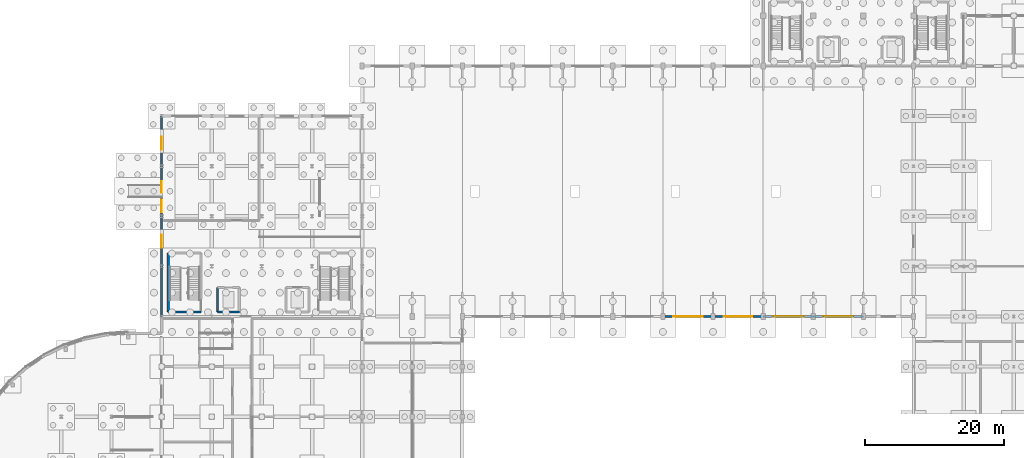
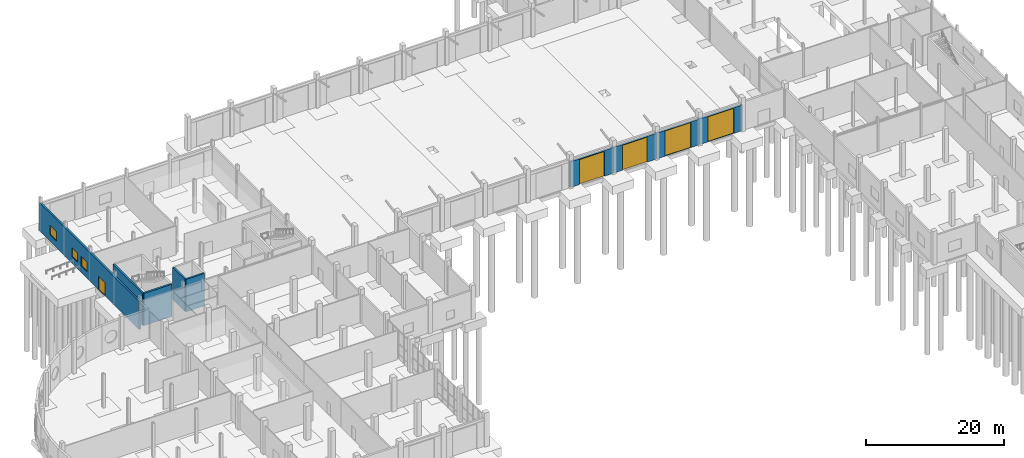
# One storey, part 32 of 45: 9 walls, 5 doors, 3 windows, 8 openings.
"""IFC4 building model written with IfcOpenShell, lengths in metres."""

from ifc_helpers import new_model, si_unit, direction, frame, frame_2d, origin, place, context, subcontext, project, spatial, rectangle, extrude, material, layer, layer_set, type_object, element, fill, save


model = new_model("IFC4")

# Units and contexts
model_context = context("Model", 3, precision=1e-05, world=origin(), true_north=direction((0.0, 1.0)))
body_context = subcontext(model_context, "Body", "Model", "MODEL_VIEW")
ifc_project = project(units=[si_unit("LENGTHUNIT", "METRE"), si_unit("AREAUNIT", "SQUARE_METRE"), si_unit("VOLUMEUNIT", "CUBIC_METRE"), si_unit("PLANEANGLEUNIT", "RADIAN"), si_unit("MASSUNIT", "GRAM", prefix="KILO")], contexts=[model_context])

# Site, building, storey
site_placement = place(None, origin())
site = spatial("IfcSite", under=ifc_project, at=site_placement, CompositionType="ELEMENT")
building_placement = place(site_placement, origin())
building = spatial("IfcBuilding", under=site, at=building_placement, Name="Yarey Park Central Fire Station", CompositionType="ELEMENT")
storey_placement = place(building_placement, origin())
storey = spatial("IfcBuildingStorey", under=building, at=storey_placement, Name="L01", CompositionType="ELEMENT", Elevation=0.0)

# Wall, opening, door
ifc_material_1 = material(Name="Concrete C35/45", Category="concrete")
ifc_layer_1 = layer(ifc_material_1, 0.304931640625)
ifc_layer_set_1 = layer_set([ifc_layer_1], Name="Concrete C35/45")
wall_type_1 = type_object("IfcWallType", Name="ENV_WALL_CMU305", PredefinedType="STANDARD", material=ifc_layer_set_1)
wall_1_placement = place(storey_placement, frame((108.0, 57.60009765625, 0.0), z_axis=(0.0, 0.0, 1.0), x_axis=(-1.0, 0.0, 0.0)))
wall_1 = element("IfcWall", 1, at=wall_1_placement, inside=storey, type_object=wall_type_1, Name="EW_L01_V2_S_07", PredefinedType="STANDARD", context=body_context, shape_type="SweptSolid", body=[
    extrude(rectangle(XDim=7.199951171875, YDim=0.304931640625, at=frame_2d((3.60009765625, 0.0))), origin(), (0.0, 0.0, 1.0), 4.5400390625),
])
opening_1_placement = place(wall_1_placement, frame((1.5, 0.0, 0.0)))
opening_1 = element("IfcOpeningElement", 2, at=opening_1_placement, cuts=wall_1, Name="Opening VD-42", PredefinedType="OPENING", context=body_context, shape_type="SweptSolid", body=[
    extrude(rectangle(XDim=4.199951171875, YDim=4.39990234375, at=frame_2d((2.10009765625, 2.199951171875))), frame((0.0, 0.162353515625, 0.0), z_axis=(0.0, -1.0, 0.0), x_axis=(1.0, 0.0, 0.0)), (0.0, 0.0, 1.0), 0.324951171875),
])
ifc_material_2 = material(Name="Anodized Aluminium Frame", Category="aluminium")
door_type_1 = type_object("IfcDoorType", Name="ENV_GATE_VD4200", OperationType="NOTDEFINED", PredefinedType="GATE", material=ifc_material_2)
door_1_placement = place(opening_1_placement, origin())
door_1 = element("IfcDoor", 3, at=door_1_placement, inside=storey, type_object=door_type_1, Name="GATE_VD_13", OperationType="FOLDING_TO_LEFT", OverallHeight=4.39990234375, OverallWidth=4.199951171875, PredefinedType="GATE", context=body_context, shape_type="SweptSolid", body=[
    extrude(rectangle(XDim=4.199951171875, YDim=4.39990234375, at=frame_2d((2.10009765625, 2.199951171875))), frame((0.0, 0.02490234375, 0.0), z_axis=(0.0, -1.0, 0.0), x_axis=(1.0, 0.0, 0.0)), (0.0, 0.0, 1.0), 0.050048828125),
])
fill(opening_1, door_1)

wall_2_placement = place(storey_placement, frame((115.199951171875, 57.60009765625, 0.0), z_axis=(0.0, 0.0, 1.0), x_axis=(-1.0, 0.0, 0.0)))
wall_2 = element("IfcWall", 4, at=wall_2_placement, inside=storey, type_object=wall_type_1, Name="EW_L01_V2_S_08", PredefinedType="STANDARD", context=body_context, shape_type="SweptSolid", body=[
    extrude(rectangle(XDim=7.199951171875, YDim=0.304931640625, at=frame_2d((3.60009765625, 0.0))), origin(), (0.0, 0.0, 1.0), 4.5400390625),
])
opening_2_placement = place(wall_2_placement, frame((1.550048828125, 0.0, 0.0)))
opening_2 = element("IfcOpeningElement", 5, at=opening_2_placement, cuts=wall_2, Name="Opening VD-41", PredefinedType="OPENING", context=body_context, shape_type="SweptSolid", body=[
    extrude(rectangle(XDim=4.10009765625, YDim=4.39990234375, at=frame_2d((2.050048828125, 2.199951171875))), frame((0.0, 0.162353515625, 0.0), z_axis=(0.0, -1.0, 0.0), x_axis=(1.0, 0.0, 0.0)), (0.0, 0.0, 1.0), 0.324951171875),
])
door_type_2 = type_object("IfcDoorType", Name="ENV_GATE_VD4100", OperationType="NOTDEFINED", PredefinedType="GATE", material=ifc_material_2)
door_2_placement = place(opening_2_placement, origin())
door_2 = element("IfcDoor", 6, at=door_2_placement, inside=storey, type_object=door_type_2, Name="GATE_VD_14", OperationType="FOLDING_TO_LEFT", OverallHeight=4.39990234375, OverallWidth=4.10009765625, PredefinedType="GATE", context=body_context, shape_type="SweptSolid", body=[
    extrude(rectangle(XDim=4.10009765625, YDim=4.39990234375, at=frame_2d((2.050048828125, 2.199951171875))), frame((0.0, 0.02490234375, 0.0), z_axis=(0.0, -1.0, 0.0), x_axis=(1.0, 0.0, 0.0)), (0.0, 0.0, 1.0), 0.050048828125),
])
fill(opening_2, door_2)

wall_3_placement = place(storey_placement, frame((122.39990234375, 57.60009765625, 0.0), z_axis=(0.0, 0.0, 1.0), x_axis=(-1.0, 0.0, 0.0)))
wall_3 = element("IfcWall", 7, at=wall_3_placement, inside=storey, type_object=wall_type_1, Name="EW_L01_V2_S_09", PredefinedType="STANDARD", context=body_context, shape_type="SweptSolid", body=[
    extrude(rectangle(XDim=7.199951171875, YDim=0.304931640625, at=frame_2d((3.60009765625, 0.0))), origin(), (0.0, 0.0, 1.0), 4.5400390625),
])
opening_3_placement = place(wall_3_placement, frame((1.39990234375, 0.0, 0.0)))
opening_3 = element("IfcOpeningElement", 8, at=opening_3_placement, cuts=wall_3, Name="Opening VD-44", PredefinedType="OPENING", context=body_context, shape_type="SweptSolid", body=[
    extrude(rectangle(XDim=4.39990234375, YDim=4.449951171875, at=frame_2d((2.199951171875, 2.22509765625))), frame((0.0, 0.162353515625, 0.0), z_axis=(0.0, -1.0, 0.0), x_axis=(1.0, 0.0, 0.0)), (0.0, 0.0, 1.0), 0.324951171875),
])
door_type_3 = type_object("IfcDoorType", Name="ENV_GATE_VD4400", OperationType="NOTDEFINED", PredefinedType="GATE", material=ifc_material_2)
door_3_placement = place(opening_3_placement, origin())
door_3 = element("IfcDoor", 9, at=door_3_placement, inside=storey, type_object=door_type_3, Name="GATE_VD_15", OperationType="FOLDING_TO_LEFT", OverallHeight=4.449951171875, OverallWidth=4.39990234375, PredefinedType="GATE", context=body_context, shape_type="SweptSolid", body=[
    extrude(rectangle(XDim=4.39990234375, YDim=4.449951171875, at=frame_2d((2.199951171875, 2.22509765625))), frame((0.0, 0.02490234375, 0.0), z_axis=(0.0, -1.0, 0.0), x_axis=(1.0, 0.0, 0.0)), (0.0, 0.0, 1.0), 0.050048828125),
])
fill(opening_3, door_3)

wall_4_placement = place(storey_placement, frame((129.60009765625, 57.60009765625, 0.0), z_axis=(0.0, 0.0, 1.0), x_axis=(-1.0, 0.0, 0.0)))
wall_4 = element("IfcWall", 10, at=wall_4_placement, inside=storey, type_object=wall_type_1, Name="EW_L01_V2_S_10", PredefinedType="STANDARD", context=body_context, shape_type="SweptSolid", body=[
    extrude(rectangle(XDim=7.2001953125, YDim=0.304931640625, at=frame_2d((3.60009765625, 0.0))), origin(), (0.0, 0.0, 1.0), 4.5400390625),
])
opening_4_placement = place(wall_4_placement, frame((1.449951171875, 0.0, 0.0)))
opening_4 = element("IfcOpeningElement", 11, at=opening_4_placement, cuts=wall_4, Name="Opening VD-43", PredefinedType="OPENING", context=body_context, shape_type="SweptSolid", body=[
    extrude(rectangle(XDim=4.300048828125, YDim=4.449951171875, at=frame_2d((2.14990234375, 2.22509765625))), frame((0.0, 0.162353515625, 0.0), z_axis=(0.0, -1.0, 0.0), x_axis=(1.0, 0.0, 0.0)), (0.0, 0.0, 1.0), 0.324951171875),
])
door_type_4 = type_object("IfcDoorType", Name="ENV_GATE_VD4300", OperationType="NOTDEFINED", PredefinedType="GATE", material=ifc_material_2)
door_4_placement = place(opening_4_placement, origin())
door_4 = element("IfcDoor", 12, at=door_4_placement, inside=storey, type_object=door_type_4, Name="GATE_VD_16", OperationType="FOLDING_TO_LEFT", OverallHeight=4.449951171875, OverallWidth=4.300048828125, PredefinedType="GATE", context=body_context, shape_type="SweptSolid", body=[
    extrude(rectangle(XDim=4.300048828125, YDim=4.449951171875, at=frame_2d((2.14990234375, 2.22509765625))), frame((0.0, 0.02490234375, 0.0), z_axis=(0.0, -1.0, 0.0), x_axis=(1.0, 0.0, 0.0)), (0.0, 0.0, 1.0), 0.050048828125),
])
fill(opening_4, door_4)

# Wall, openings, door, windows
wall_5_placement = place(storey_placement, frame((28.800048828125, 57.60009765625, 0.0), z_axis=(0.0, 0.0, 1.0), x_axis=(0.0, 1.0, 0.0)))
wall_5 = element("IfcWall", 13, at=wall_5_placement, inside=storey, type_object=wall_type_1, Name="EW_L01_V3_W", PredefinedType="STANDARD", context=body_context, shape_type="SweptSolid", body=[
    extrude(rectangle(XDim=28.7998046875, YDim=0.304931640625, at=frame_2d((14.39990234375, 0.0))), origin(), (0.0, 0.0, 1.0), 5.02197265625),
])
opening_5_placement = place(wall_5_placement, frame((9.860107421875, 0.0, 0.0)))
opening_5 = element("IfcOpeningElement", 14, at=opening_5_placement, cuts=wall_5, Name="Opening ED-188", PredefinedType="OPENING", context=body_context, shape_type="SweptSolid", body=[
    extrude(rectangle(XDim=1.8798828125, YDim=2.360107421875, at=frame_2d((0.93994140625, 1.18017578125))), frame((0.0, 0.162353515625, 0.0), z_axis=(0.0, -1.0, 0.0), x_axis=(1.0, 0.0, 0.0)), (0.0, 0.0, 1.0), 0.324951171875),
])
opening_6_placement = place(wall_5_placement, frame((23.93994140625, 0.0, 1.14990234375)))
opening_6 = element("IfcOpeningElement", 15, at=opening_6_placement, cuts=wall_5, Name="Opening WN-P186", PredefinedType="OPENING", context=body_context, shape_type="SweptSolid", body=[
    extrude(rectangle(XDim=1.860107421875, YDim=1.679931640625, at=frame_2d((0.93017578125, 0.83984375))), frame((0.0, 0.162353515625, 0.0), z_axis=(0.0, -1.0, 0.0), x_axis=(1.0, 0.0, 0.0)), (0.0, 0.0, 1.0), 0.324951171875),
])
opening_7_placement = place(wall_5_placement, frame((15.0, 0.0, 1.14990234375)))
opening_7 = element("IfcOpeningElement", 16, at=opening_7_placement, cuts=wall_5, Name="Opening WN-P174", PredefinedType="OPENING", context=body_context, shape_type="SweptSolid", body=[
    extrude(rectangle(XDim=1.739990234375, YDim=1.639892578125, at=frame_2d((0.8701171875, 0.81982421875))), frame((0.0, 0.162353515625, 0.0), z_axis=(0.0, -1.0, 0.0), x_axis=(1.0, 0.0, 0.0)), (0.0, 0.0, 1.0), 0.324951171875),
])
opening_8_placement = place(wall_5_placement, frame((17.800048828125, 0.0, 1.14990234375)))
opening_8 = element("IfcOpeningElement", 17, at=opening_8_placement, cuts=wall_5, Name="Opening WN-P162", PredefinedType="OPENING", context=body_context, shape_type="SweptSolid", body=[
    extrude(rectangle(XDim=1.6201171875, YDim=1.60009765625, at=frame_2d((0.81005859375, 0.800048828125))), frame((0.0, 0.162353515625, 0.0), z_axis=(0.0, -1.0, 0.0), x_axis=(1.0, 0.0, 0.0)), (0.0, 0.0, 1.0), 0.324951171875),
])
ifc_material_3 = material(Name="Galvanized Hollow Metal Door", Category="metal")
door_type_5 = type_object("IfcDoorType", Name="ENV_DOOR_EX1880", OperationType="NOTDEFINED", PredefinedType="DOOR", material=ifc_material_3)
door_5_placement = place(opening_5_placement, origin())
door_5 = element("IfcDoor", 18, at=door_5_placement, inside=storey, type_object=door_type_5, Name="DOOR_L01_EX_E04", OperationType="SINGLE_SWING_RIGHT", OverallHeight=2.360107421875, OverallWidth=1.8798828125, PredefinedType="DOOR", context=body_context, shape_type="SweptSolid", body=[
    extrude(rectangle(XDim=1.8798828125, YDim=2.360107421875, at=frame_2d((0.93994140625, 1.18017578125))), frame((0.0, 0.02490234375, 0.0), z_axis=(0.0, -1.0, 0.0), x_axis=(1.0, 0.0, 0.0)), (0.0, 0.0, 1.0), 0.050048828125),
])
fill(opening_5, door_5)
ifc_material_4 = material(Name="Laminated Hurricane Low-E Glass", Category="glass")
window_type_1 = type_object("IfcWindowType", Name="ENV_WIN_PUNCH_162", PartitioningType="SINGLE_PANEL", PredefinedType="WINDOW", material=ifc_material_4)
window_1_placement = place(opening_8_placement, origin())
window_1 = element("IfcWindow", 19, at=window_1_placement, inside=storey, type_object=window_type_1, Name="WIN_L01_V3W_3", OverallHeight=1.60009765625, OverallWidth=1.6201171875, PartitioningType="SINGLE_PANEL", PredefinedType="WINDOW", context=body_context, shape_type="SweptSolid", body=[
    extrude(rectangle(XDim=1.6201171875, YDim=1.60009765625, at=frame_2d((0.81005859375, 0.800048828125))), frame((0.0, 0.030029296875, 0.0), z_axis=(0.0, -1.0, 0.0), x_axis=(1.0, 0.0, 0.0)), (0.0, 0.0, 1.0), 0.06005859375),
])
fill(opening_8, window_1)
window_type_2 = type_object("IfcWindowType", Name="ENV_WIN_PUNCH_174", PartitioningType="SINGLE_PANEL", PredefinedType="WINDOW", material=ifc_material_4)
window_2_placement = place(opening_7_placement, origin())
window_2 = element("IfcWindow", 20, at=window_2_placement, inside=storey, type_object=window_type_2, Name="WIN_L01_V3W_2", OverallHeight=1.639892578125, OverallWidth=1.739990234375, PartitioningType="SINGLE_PANEL", PredefinedType="WINDOW", context=body_context, shape_type="SweptSolid", body=[
    extrude(rectangle(XDim=1.739990234375, YDim=1.639892578125, at=frame_2d((0.8701171875, 0.81982421875))), frame((0.0, 0.030029296875, 0.0), z_axis=(0.0, -1.0, 0.0), x_axis=(1.0, 0.0, 0.0)), (0.0, 0.0, 1.0), 0.06005859375),
])
fill(opening_7, window_2)
window_type_3 = type_object("IfcWindowType", Name="ENV_WIN_PUNCH_186", PartitioningType="SINGLE_PANEL", PredefinedType="WINDOW", material=ifc_material_4)
window_3_placement = place(opening_6_placement, origin())
window_3 = element("IfcWindow", 21, at=window_3_placement, inside=storey, type_object=window_type_3, Name="WIN_L01_V3W_1", OverallHeight=1.679931640625, OverallWidth=1.860107421875, PartitioningType="SINGLE_PANEL", PredefinedType="WINDOW", context=body_context, shape_type="SweptSolid", body=[
    extrude(rectangle(XDim=1.860107421875, YDim=1.679931640625, at=frame_2d((0.93017578125, 0.83984375))), frame((0.0, 0.030029296875, 0.0), z_axis=(0.0, -1.0, 0.0), x_axis=(1.0, 0.0, 0.0)), (0.0, 0.0, 1.0), 0.06005859375),
])
fill(opening_6, window_3)

# Walls
ifc_material_5 = material(Name="Concrete C40/50", Category="concrete")
ifc_layer_2 = layer(ifc_material_5, 0.27001953125)
ifc_layer_set_2 = layer_set([ifc_layer_2], Name="Concrete C40/50")
wall_type_2 = type_object("IfcWallType", Name="INT_CORE_RC270", PredefinedType="SHEAR", material=ifc_layer_set_2)
wall_6_placement = place(storey_placement, frame((36.85009765625, 58.25, 0.0), z_axis=(0.0, 0.0, 1.0), x_axis=(1.0, 0.0, 0.0)))
element("IfcWall", 22, at=wall_6_placement, inside=storey, type_object=wall_type_2, Name="LWALL_C3_L01_S", PredefinedType="SHEAR", context=body_context, shape_type="SweptSolid", body=[
    extrude(rectangle(XDim=3.099853515625, YDim=0.300048828125, at=frame_2d((1.5498046875, 0.0))), origin(), (0.0, 0.0, 1.0), 5.715087890625),
])
wall_7_placement = place(storey_placement, frame((36.85009765625, 61.75, 0.0), z_axis=(0.0, 0.0, 1.0), x_axis=(0.0, -1.0, 0.0)))
element("IfcWall", 23, at=wall_7_placement, inside=storey, type_object=wall_type_2, Name="LWALL_C3_L01_W", PredefinedType="SHEAR", context=body_context, shape_type="SweptSolid", body=[
    extrude(rectangle(XDim=3.5, YDim=0.300048828125, at=frame_2d((1.75, 0.0))), origin(), (0.0, 0.0, 1.0), 5.715087890625),
])
ifc_layer_3 = layer(ifc_material_5, 0.300048828125)
ifc_layer_set_3 = layer_set([ifc_layer_3], Name="Concrete C40/50")
wall_type_3 = type_object("IfcWallType", Name="INT_CORE_RC300", PredefinedType="SHEAR", material=ifc_layer_set_3)
wall_8_placement = place(storey_placement, frame((29.75, 58.25, 0.0), z_axis=(0.0, 0.0, 1.0), x_axis=(1.0, 0.0, 0.0)))
element("IfcWall", 24, at=wall_8_placement, inside=storey, type_object=wall_type_3, Name="CWALL_C3_L01_S", PredefinedType="SHEAR", context=body_context, shape_type="SweptSolid", body=[
    extrude(rectangle(XDim=4.699951171875, YDim=0.300048828125, at=frame_2d((2.35009765625, 0.0))), origin(), (0.0, 0.0, 1.0), 5.715087890625),
])
wall_9_placement = place(storey_placement, frame((29.75, 58.25, 0.0), z_axis=(0.0, 0.0, 1.0), x_axis=(0.0, 1.0, 0.0)))
element("IfcWall", 25, at=wall_9_placement, inside=storey, type_object=wall_type_3, Name="CWALL_C3_L01_W", PredefinedType="SHEAR", context=body_context, shape_type="SweptSolid", body=[
    extrude(rectangle(XDim=8.5, YDim=0.300048828125, at=frame_2d((4.25, 0.0))), origin(), (0.0, 0.0, 1.0), 5.715087890625),
])

save(model, "model.ifc")
